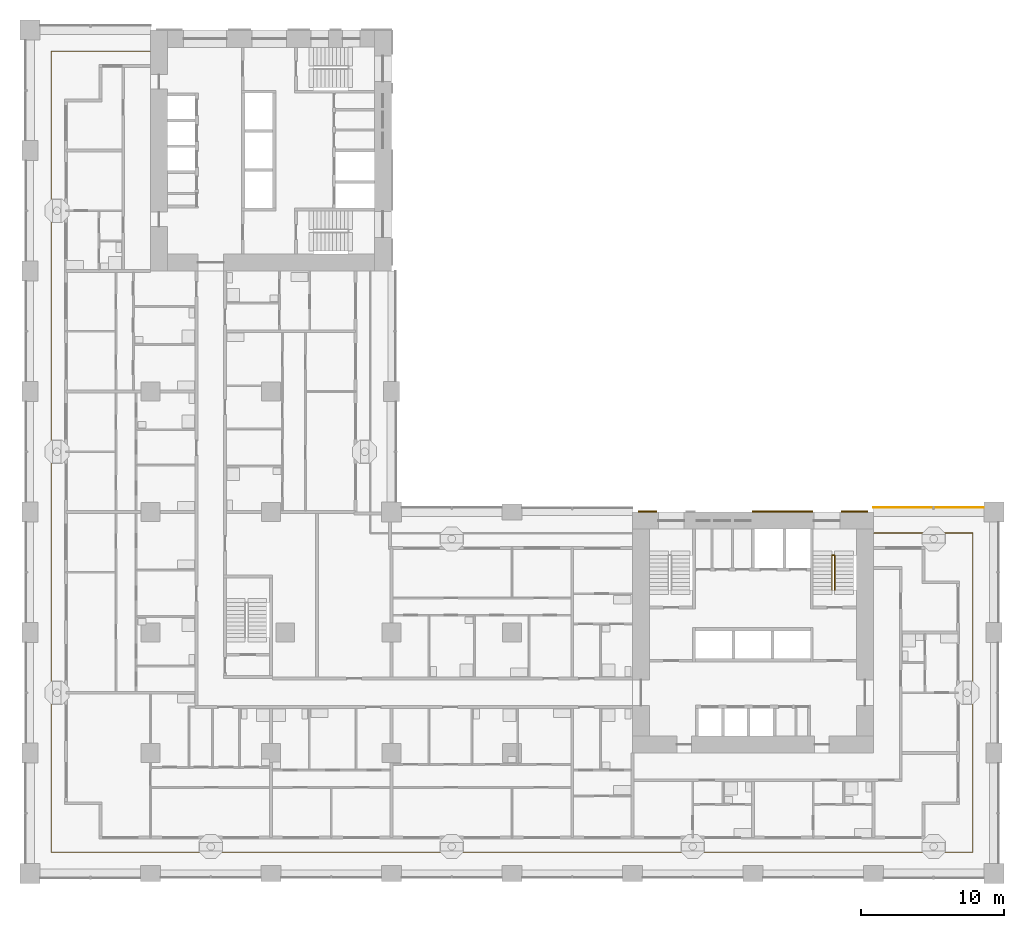
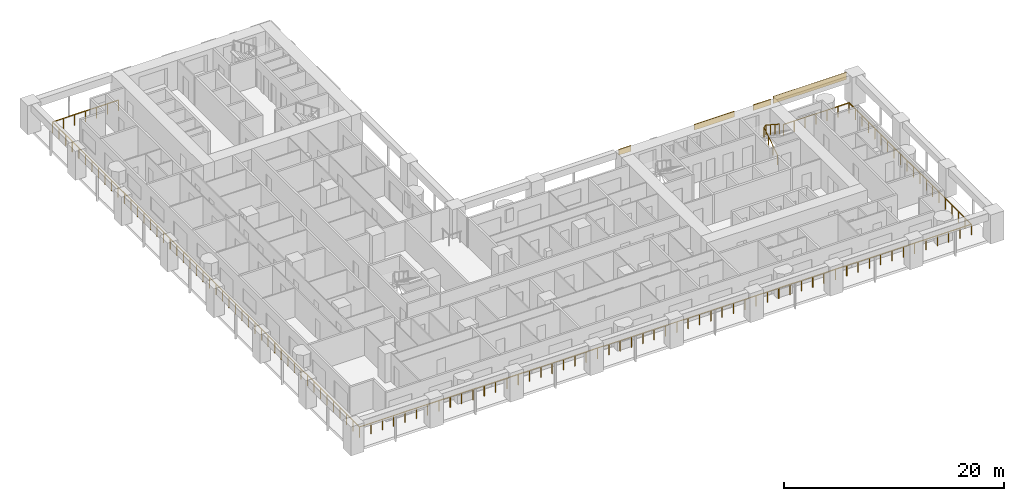
# One storey, part 14 of 22: 4 shading devices, 2 railings.
"""IFC4 building model written with IfcOpenShell, lengths in metres."""

from ifc_helpers import new_model, si_unit, direction, frame, origin, origin_2d, place, context, subcontext, project, spatial, rectangle, circle, extrude, material, layer, layer_set, type_object, element, save


model = new_model("IFC4")

# Units and contexts
model_context = context("Model", 3, precision=1e-05, world=origin(), true_north=direction((0.0, 1.0)))
body_context = subcontext(model_context, "Body", "Model", "MODEL_VIEW")
ifc_project = project(units=[si_unit("LENGTHUNIT", "METRE"), si_unit("AREAUNIT", "SQUARE_METRE"), si_unit("VOLUMEUNIT", "CUBIC_METRE"), si_unit("PLANEANGLEUNIT", "RADIAN"), si_unit("MASSUNIT", "GRAM", prefix="KILO")], contexts=[model_context])

# Site, building, storey
site_placement = place(None, origin())
site = spatial("IfcSite", under=ifc_project, at=site_placement, CompositionType="ELEMENT")
building_placement = place(site_placement, origin())
building = spatial("IfcBuilding", under=site, at=building_placement, Name="Vermilion Gate Residences", CompositionType="ELEMENT")
storey_placement = place(building_placement, frame((0.0, 0.0, 60.199951171875)))
storey = spatial("IfcBuildingStorey", under=building, at=storey_placement, Name="L14", CompositionType="ELEMENT", Elevation=60.199951171875)

# Railing
ifc_material_1 = material(Name="Stainless steel and toughened glass", Category="steel")
railing_type_1 = type_object("IfcRailingType", Name="LOGGIA GUARD STEEL AND GLASS 1200", PredefinedType="GUARDRAIL", material=ifc_material_1)
railing_1_placement = place(storey_placement, frame((8.3779296875, 57.324951171875, 0.0)))
element("IfcRailing", 1, at=railing_1_placement, inside=storey, type_object=railing_type_1, Name="Loggia guard", PredefinedType="GUARDRAIL", context=body_context, shape_type="SweptSolid", body=[
    extrude(circle(Radius=0.030029296875, at=origin_2d()), frame((0.0, 0.0, 1.169921875), z_axis=(-1.0, 0.0, 0.0), x_axis=(0.0, -1.0, 0.0)), (0.0, 0.0, 1.0), 6.90283203125),
    extrude(circle(Radius=0.030029296875, at=origin_2d()), frame((-6.90283203125, 0.0, 1.169921875), z_axis=(0.0, -1.0, 0.0), x_axis=(1.0, 0.0, 0.0)), (0.0, 0.0, 1.0), 55.849853515625),
    extrude(circle(Radius=0.030029296875, at=origin_2d()), frame((-6.90283203125, -55.849853515625, 1.169921875), z_axis=(1.0, 0.0, 0.0), x_axis=(0.0, 1.0, 0.0)), (0.0, 0.0, 1.0), 64.25),
    extrude(circle(Radius=0.030029296875, at=origin_2d()), frame((57.34716796875, -55.849853515625, 1.169921875), z_axis=(0.0, 1.0, 0.0), x_axis=(-1.0, 0.0, 0.0)), (0.0, 0.0, 1.0), 22.25),
    extrude(circle(Radius=0.030029296875, at=origin_2d()), frame((57.34716796875, -33.599853515625, 1.169921875), z_axis=(-1.0, 0.0, 0.0), x_axis=(0.0, -1.0, 0.0)), (0.0, 0.0, 1.0), 6.903076171875),
    extrude(circle(Radius=0.02490234375, at=origin_2d()), origin(), (0.0, 0.0, 1.0), 1.139892578125),
    extrude(circle(Radius=0.02490234375, at=origin_2d()), frame((-1.150390625, 0.0, 0.0)), (0.0, 0.0, 1.0), 1.139892578125),
    extrude(circle(Radius=0.02490234375, at=origin_2d()), frame((-2.301025390625, 0.0, 0.0)), (0.0, 0.0, 1.0), 1.139892578125),
    extrude(circle(Radius=0.02490234375, at=origin_2d()), frame((-3.451416015625, 0.0, 0.0)), (0.0, 0.0, 1.0), 1.139892578125),
    extrude(circle(Radius=0.02490234375, at=origin_2d()), frame((-4.601806640625, 0.0, 0.0)), (0.0, 0.0, 1.0), 1.139892578125),
    extrude(circle(Radius=0.02490234375, at=origin_2d()), frame((-5.75244140625, 0.0, 0.0)), (0.0, 0.0, 1.0), 1.139892578125),
    extrude(circle(Radius=0.02490234375, at=origin_2d()), frame((-6.90283203125, 0.0, 0.0)), (0.0, 0.0, 1.0), 1.139892578125),
    extrude(circle(Radius=0.02490234375, at=origin_2d()), frame((-6.90283203125, -1.188232421875, 0.0)), (0.0, 0.0, 1.0), 1.139892578125),
    extrude(circle(Radius=0.02490234375, at=origin_2d()), frame((-6.90283203125, -2.376708984375, 0.0)), (0.0, 0.0, 1.0), 1.139892578125),
    extrude(circle(Radius=0.02490234375, at=origin_2d()), frame((-6.90283203125, -3.56494140625, 0.0)), (0.0, 0.0, 1.0), 1.139892578125),
    extrude(circle(Radius=0.02490234375, at=origin_2d()), frame((-6.90283203125, -4.753173828125, 0.0)), (0.0, 0.0, 1.0), 1.139892578125),
    extrude(circle(Radius=0.02490234375, at=origin_2d()), frame((-6.90283203125, -5.94140625, 0.0)), (0.0, 0.0, 1.0), 1.139892578125),
    extrude(circle(Radius=0.02490234375, at=origin_2d()), frame((-6.90283203125, -7.1298828125, 0.0)), (0.0, 0.0, 1.0), 1.139892578125),
    extrude(circle(Radius=0.02490234375, at=origin_2d()), frame((-6.90283203125, -8.318115234375, 0.0)), (0.0, 0.0, 1.0), 1.139892578125),
    extrude(circle(Radius=0.02490234375, at=origin_2d()), frame((-6.90283203125, -9.50634765625, 0.0)), (0.0, 0.0, 1.0), 1.139892578125),
    extrude(circle(Radius=0.02490234375, at=origin_2d()), frame((-6.90283203125, -10.694580078125, 0.0)), (0.0, 0.0, 1.0), 1.139892578125),
    extrude(circle(Radius=0.02490234375, at=origin_2d()), frame((-6.90283203125, -11.883056640625, 0.0)), (0.0, 0.0, 1.0), 1.139892578125),
    extrude(circle(Radius=0.02490234375, at=origin_2d()), frame((-6.90283203125, -13.0712890625, 0.0)), (0.0, 0.0, 1.0), 1.139892578125),
    extrude(circle(Radius=0.02490234375, at=origin_2d()), frame((-6.90283203125, -14.259521484375, 0.0)), (0.0, 0.0, 1.0), 1.139892578125),
    extrude(circle(Radius=0.02490234375, at=origin_2d()), frame((-6.90283203125, -15.44775390625, 0.0)), (0.0, 0.0, 1.0), 1.139892578125),
    extrude(circle(Radius=0.02490234375, at=origin_2d()), frame((-6.90283203125, -16.63623046875, 0.0)), (0.0, 0.0, 1.0), 1.139892578125),
    extrude(circle(Radius=0.02490234375, at=origin_2d()), frame((-6.90283203125, -17.824462890625, 0.0)), (0.0, 0.0, 1.0), 1.139892578125),
    extrude(circle(Radius=0.02490234375, at=origin_2d()), frame((-6.90283203125, -19.0126953125, 0.0)), (0.0, 0.0, 1.0), 1.139892578125),
    extrude(circle(Radius=0.02490234375, at=origin_2d()), frame((-6.90283203125, -20.200927734375, 0.0)), (0.0, 0.0, 1.0), 1.139892578125),
    extrude(circle(Radius=0.02490234375, at=origin_2d()), frame((-6.90283203125, -21.389404296875, 0.0)), (0.0, 0.0, 1.0), 1.139892578125),
    extrude(circle(Radius=0.02490234375, at=origin_2d()), frame((-6.90283203125, -22.57763671875, 0.0)), (0.0, 0.0, 1.0), 1.139892578125),
    extrude(circle(Radius=0.02490234375, at=origin_2d()), frame((-6.90283203125, -23.765869140625, 0.0)), (0.0, 0.0, 1.0), 1.139892578125),
    extrude(circle(Radius=0.02490234375, at=origin_2d()), frame((-6.90283203125, -24.9541015625, 0.0)), (0.0, 0.0, 1.0), 1.139892578125),
    extrude(circle(Radius=0.02490234375, at=origin_2d()), frame((-6.90283203125, -26.142578125, 0.0)), (0.0, 0.0, 1.0), 1.139892578125),
    extrude(circle(Radius=0.02490234375, at=origin_2d()), frame((-6.90283203125, -27.330810546875, 0.0)), (0.0, 0.0, 1.0), 1.139892578125),
    extrude(circle(Radius=0.02490234375, at=origin_2d()), frame((-6.90283203125, -28.51904296875, 0.0)), (0.0, 0.0, 1.0), 1.139892578125),
    extrude(circle(Radius=0.02490234375, at=origin_2d()), frame((-6.90283203125, -29.707275390625, 0.0)), (0.0, 0.0, 1.0), 1.139892578125),
    extrude(circle(Radius=0.02490234375, at=origin_2d()), frame((-6.90283203125, -30.895751953125, 0.0)), (0.0, 0.0, 1.0), 1.139892578125),
    extrude(circle(Radius=0.02490234375, at=origin_2d()), frame((-6.90283203125, -32.083984375, 0.0)), (0.0, 0.0, 1.0), 1.139892578125),
    extrude(circle(Radius=0.02490234375, at=origin_2d()), frame((-6.90283203125, -33.272216796875, 0.0)), (0.0, 0.0, 1.0), 1.139892578125),
    extrude(circle(Radius=0.02490234375, at=origin_2d()), frame((-6.90283203125, -34.46044921875, 0.0)), (0.0, 0.0, 1.0), 1.139892578125),
    extrude(circle(Radius=0.02490234375, at=origin_2d()), frame((-6.90283203125, -35.64892578125, 0.0)), (0.0, 0.0, 1.0), 1.139892578125),
    extrude(circle(Radius=0.02490234375, at=origin_2d()), frame((-6.90283203125, -36.837158203125, 0.0)), (0.0, 0.0, 1.0), 1.139892578125),
    extrude(circle(Radius=0.02490234375, at=origin_2d()), frame((-6.90283203125, -38.025390625, 0.0)), (0.0, 0.0, 1.0), 1.139892578125),
    extrude(circle(Radius=0.02490234375, at=origin_2d()), frame((-6.90283203125, -39.213623046875, 0.0)), (0.0, 0.0, 1.0), 1.139892578125),
    extrude(circle(Radius=0.02490234375, at=origin_2d()), frame((-6.90283203125, -40.402099609375, 0.0)), (0.0, 0.0, 1.0), 1.139892578125),
    extrude(circle(Radius=0.02490234375, at=origin_2d()), frame((-6.90283203125, -41.59033203125, 0.0)), (0.0, 0.0, 1.0), 1.139892578125),
    extrude(circle(Radius=0.02490234375, at=origin_2d()), frame((-6.90283203125, -42.778564453125, 0.0)), (0.0, 0.0, 1.0), 1.139892578125),
    extrude(circle(Radius=0.02490234375, at=origin_2d()), frame((-6.90283203125, -43.966796875, 0.0)), (0.0, 0.0, 1.0), 1.139892578125),
    extrude(circle(Radius=0.02490234375, at=origin_2d()), frame((-6.90283203125, -45.1552734375, 0.0)), (0.0, 0.0, 1.0), 1.139892578125),
    extrude(circle(Radius=0.02490234375, at=origin_2d()), frame((-6.90283203125, -46.343505859375, 0.0)), (0.0, 0.0, 1.0), 1.139892578125),
    extrude(circle(Radius=0.02490234375, at=origin_2d()), frame((-6.90283203125, -47.53173828125, 0.0)), (0.0, 0.0, 1.0), 1.139892578125),
    extrude(circle(Radius=0.02490234375, at=origin_2d()), frame((-6.90283203125, -48.719970703125, 0.0)), (0.0, 0.0, 1.0), 1.139892578125),
    extrude(circle(Radius=0.02490234375, at=origin_2d()), frame((-6.90283203125, -49.908447265625, 0.0)), (0.0, 0.0, 1.0), 1.139892578125),
    extrude(circle(Radius=0.02490234375, at=origin_2d()), frame((-6.90283203125, -51.0966796875, 0.0)), (0.0, 0.0, 1.0), 1.139892578125),
    extrude(circle(Radius=0.02490234375, at=origin_2d()), frame((-6.90283203125, -52.284912109375, 0.0)), (0.0, 0.0, 1.0), 1.139892578125),
    extrude(circle(Radius=0.02490234375, at=origin_2d()), frame((-6.90283203125, -53.47314453125, 0.0)), (0.0, 0.0, 1.0), 1.139892578125),
    extrude(circle(Radius=0.02490234375, at=origin_2d()), frame((-6.90283203125, -54.66162109375, 0.0)), (0.0, 0.0, 1.0), 1.139892578125),
    extrude(circle(Radius=0.02490234375, at=origin_2d()), frame((-6.90283203125, -55.849853515625, 0.0)), (0.0, 0.0, 1.0), 1.139892578125),
    extrude(circle(Radius=0.02490234375, at=origin_2d()), frame((-5.713134765625, -55.849853515625, 0.0)), (0.0, 0.0, 1.0), 1.139892578125),
    extrude(circle(Radius=0.02490234375, at=origin_2d()), frame((-4.523193359375, -55.849853515625, 0.0)), (0.0, 0.0, 1.0), 1.139892578125),
    extrude(circle(Radius=0.02490234375, at=origin_2d()), frame((-3.33349609375, -55.849853515625, 0.0)), (0.0, 0.0, 1.0), 1.139892578125),
    extrude(circle(Radius=0.02490234375, at=origin_2d()), frame((-2.1435546875, -55.849853515625, 0.0)), (0.0, 0.0, 1.0), 1.139892578125),
    extrude(circle(Radius=0.02490234375, at=origin_2d()), frame((-0.953857421875, -55.849853515625, 0.0)), (0.0, 0.0, 1.0), 1.139892578125),
    extrude(circle(Radius=0.02490234375, at=origin_2d()), frame((0.236083984375, -55.849853515625, 0.0)), (0.0, 0.0, 1.0), 1.139892578125),
    extrude(circle(Radius=0.02490234375, at=origin_2d()), frame((1.42578125, -55.849853515625, 0.0)), (0.0, 0.0, 1.0), 1.139892578125),
    extrude(circle(Radius=0.02490234375, at=origin_2d()), frame((2.61572265625, -55.849853515625, 0.0)), (0.0, 0.0, 1.0), 1.139892578125),
    extrude(circle(Radius=0.02490234375, at=origin_2d()), frame((3.805419921875, -55.849853515625, 0.0)), (0.0, 0.0, 1.0), 1.139892578125),
    extrude(circle(Radius=0.02490234375, at=origin_2d()), frame((4.995361328125, -55.849853515625, 0.0)), (0.0, 0.0, 1.0), 1.139892578125),
    extrude(circle(Radius=0.02490234375, at=origin_2d()), frame((6.18505859375, -55.849853515625, 0.0)), (0.0, 0.0, 1.0), 1.139892578125),
    extrude(circle(Radius=0.02490234375, at=origin_2d()), frame((7.375, -55.849853515625, 0.0)), (0.0, 0.0, 1.0), 1.139892578125),
    extrude(circle(Radius=0.02490234375, at=origin_2d()), frame((8.564697265625, -55.849853515625, 0.0)), (0.0, 0.0, 1.0), 1.139892578125),
    extrude(circle(Radius=0.02490234375, at=origin_2d()), frame((9.754638671875, -55.849853515625, 0.0)), (0.0, 0.0, 1.0), 1.139892578125),
    extrude(circle(Radius=0.02490234375, at=origin_2d()), frame((10.9443359375, -55.849853515625, 0.0)), (0.0, 0.0, 1.0), 1.139892578125),
    extrude(circle(Radius=0.02490234375, at=origin_2d()), frame((12.13427734375, -55.849853515625, 0.0)), (0.0, 0.0, 1.0), 1.139892578125),
    extrude(circle(Radius=0.02490234375, at=origin_2d()), frame((13.323974609375, -55.849853515625, 0.0)), (0.0, 0.0, 1.0), 1.139892578125),
    extrude(circle(Radius=0.02490234375, at=origin_2d()), frame((14.513916015625, -55.849853515625, 0.0)), (0.0, 0.0, 1.0), 1.139892578125),
    extrude(circle(Radius=0.02490234375, at=origin_2d()), frame((15.70361328125, -55.849853515625, 0.0)), (0.0, 0.0, 1.0), 1.139892578125),
    extrude(circle(Radius=0.02490234375, at=origin_2d()), frame((16.8935546875, -55.849853515625, 0.0)), (0.0, 0.0, 1.0), 1.139892578125),
    extrude(circle(Radius=0.02490234375, at=origin_2d()), frame((18.083251953125, -55.849853515625, 0.0)), (0.0, 0.0, 1.0), 1.139892578125),
    extrude(circle(Radius=0.02490234375, at=origin_2d()), frame((19.273193359375, -55.849853515625, 0.0)), (0.0, 0.0, 1.0), 1.139892578125),
    extrude(circle(Radius=0.02490234375, at=origin_2d()), frame((20.462890625, -55.849853515625, 0.0)), (0.0, 0.0, 1.0), 1.139892578125),
    extrude(circle(Radius=0.02490234375, at=origin_2d()), frame((21.65283203125, -55.849853515625, 0.0)), (0.0, 0.0, 1.0), 1.139892578125),
    extrude(circle(Radius=0.02490234375, at=origin_2d()), frame((22.842529296875, -55.849853515625, 0.0)), (0.0, 0.0, 1.0), 1.139892578125),
    extrude(circle(Radius=0.02490234375, at=origin_2d()), frame((24.032470703125, -55.849853515625, 0.0)), (0.0, 0.0, 1.0), 1.139892578125),
    extrude(circle(Radius=0.02490234375, at=origin_2d()), frame((25.22216796875, -55.849853515625, 0.0)), (0.0, 0.0, 1.0), 1.139892578125),
    extrude(circle(Radius=0.02490234375, at=origin_2d()), frame((26.411865234375, -55.849853515625, 0.0)), (0.0, 0.0, 1.0), 1.139892578125),
    extrude(circle(Radius=0.02490234375, at=origin_2d()), frame((27.601806640625, -55.849853515625, 0.0)), (0.0, 0.0, 1.0), 1.139892578125),
    extrude(circle(Radius=0.02490234375, at=origin_2d()), frame((28.79150390625, -55.849853515625, 0.0)), (0.0, 0.0, 1.0), 1.139892578125),
    extrude(circle(Radius=0.02490234375, at=origin_2d()), frame((29.9814453125, -55.849853515625, 0.0)), (0.0, 0.0, 1.0), 1.139892578125),
    extrude(circle(Radius=0.02490234375, at=origin_2d()), frame((31.171142578125, -55.849853515625, 0.0)), (0.0, 0.0, 1.0), 1.139892578125),
    extrude(circle(Radius=0.02490234375, at=origin_2d()), frame((32.361083984375, -55.849853515625, 0.0)), (0.0, 0.0, 1.0), 1.139892578125),
    extrude(circle(Radius=0.02490234375, at=origin_2d()), frame((33.55078125, -55.849853515625, 0.0)), (0.0, 0.0, 1.0), 1.139892578125),
    extrude(circle(Radius=0.02490234375, at=origin_2d()), frame((34.74072265625, -55.849853515625, 0.0)), (0.0, 0.0, 1.0), 1.139892578125),
    extrude(circle(Radius=0.02490234375, at=origin_2d()), frame((35.930419921875, -55.849853515625, 0.0)), (0.0, 0.0, 1.0), 1.139892578125),
    extrude(circle(Radius=0.02490234375, at=origin_2d()), frame((37.120361328125, -55.849853515625, 0.0)), (0.0, 0.0, 1.0), 1.139892578125),
    extrude(circle(Radius=0.02490234375, at=origin_2d()), frame((38.31005859375, -55.849853515625, 0.0)), (0.0, 0.0, 1.0), 1.139892578125),
    extrude(circle(Radius=0.02490234375, at=origin_2d()), frame((39.5, -55.849853515625, 0.0)), (0.0, 0.0, 1.0), 1.139892578125),
    extrude(circle(Radius=0.02490234375, at=origin_2d()), frame((40.689697265625, -55.849853515625, 0.0)), (0.0, 0.0, 1.0), 1.139892578125),
    extrude(circle(Radius=0.02490234375, at=origin_2d()), frame((41.879638671875, -55.849853515625, 0.0)), (0.0, 0.0, 1.0), 1.139892578125),
    extrude(circle(Radius=0.02490234375, at=origin_2d()), frame((43.0693359375, -55.849853515625, 0.0)), (0.0, 0.0, 1.0), 1.139892578125),
    extrude(circle(Radius=0.02490234375, at=origin_2d()), frame((44.25927734375, -55.849853515625, 0.0)), (0.0, 0.0, 1.0), 1.139892578125),
    extrude(circle(Radius=0.02490234375, at=origin_2d()), frame((45.448974609375, -55.849853515625, 0.0)), (0.0, 0.0, 1.0), 1.139892578125),
    extrude(circle(Radius=0.02490234375, at=origin_2d()), frame((46.638916015625, -55.849853515625, 0.0)), (0.0, 0.0, 1.0), 1.139892578125),
    extrude(circle(Radius=0.02490234375, at=origin_2d()), frame((47.82861328125, -55.849853515625, 0.0)), (0.0, 0.0, 1.0), 1.139892578125),
    extrude(circle(Radius=0.02490234375, at=origin_2d()), frame((49.0185546875, -55.849853515625, 0.0)), (0.0, 0.0, 1.0), 1.139892578125),
    extrude(circle(Radius=0.02490234375, at=origin_2d()), frame((50.208251953125, -55.849853515625, 0.0)), (0.0, 0.0, 1.0), 1.139892578125),
    extrude(circle(Radius=0.02490234375, at=origin_2d()), frame((51.398193359375, -55.849853515625, 0.0)), (0.0, 0.0, 1.0), 1.139892578125),
    extrude(circle(Radius=0.02490234375, at=origin_2d()), frame((52.587890625, -55.849853515625, 0.0)), (0.0, 0.0, 1.0), 1.139892578125),
    extrude(circle(Radius=0.02490234375, at=origin_2d()), frame((53.77783203125, -55.849853515625, 0.0)), (0.0, 0.0, 1.0), 1.139892578125),
    extrude(circle(Radius=0.02490234375, at=origin_2d()), frame((54.967529296875, -55.849853515625, 0.0)), (0.0, 0.0, 1.0), 1.139892578125),
    extrude(circle(Radius=0.02490234375, at=origin_2d()), frame((56.157470703125, -55.849853515625, 0.0)), (0.0, 0.0, 1.0), 1.139892578125),
    extrude(circle(Radius=0.02490234375, at=origin_2d()), frame((57.34716796875, -55.849853515625, 0.0)), (0.0, 0.0, 1.0), 1.139892578125),
    extrude(circle(Radius=0.02490234375, at=origin_2d()), frame((57.34716796875, -54.6787109375, 0.0)), (0.0, 0.0, 1.0), 1.139892578125),
    extrude(circle(Radius=0.02490234375, at=origin_2d()), frame((57.34716796875, -53.5078125, 0.0)), (0.0, 0.0, 1.0), 1.139892578125),
    extrude(circle(Radius=0.02490234375, at=origin_2d()), frame((57.34716796875, -52.336669921875, 0.0)), (0.0, 0.0, 1.0), 1.139892578125),
    extrude(circle(Radius=0.02490234375, at=origin_2d()), frame((57.34716796875, -51.16552734375, 0.0)), (0.0, 0.0, 1.0), 1.139892578125),
    extrude(circle(Radius=0.02490234375, at=origin_2d()), frame((57.34716796875, -49.99462890625, 0.0)), (0.0, 0.0, 1.0), 1.139892578125),
    extrude(circle(Radius=0.02490234375, at=origin_2d()), frame((57.34716796875, -48.823486328125, 0.0)), (0.0, 0.0, 1.0), 1.139892578125),
    extrude(circle(Radius=0.02490234375, at=origin_2d()), frame((57.34716796875, -47.652587890625, 0.0)), (0.0, 0.0, 1.0), 1.139892578125),
    extrude(circle(Radius=0.02490234375, at=origin_2d()), frame((57.34716796875, -46.4814453125, 0.0)), (0.0, 0.0, 1.0), 1.139892578125),
    extrude(circle(Radius=0.02490234375, at=origin_2d()), frame((57.34716796875, -45.310302734375, 0.0)), (0.0, 0.0, 1.0), 1.139892578125),
    extrude(circle(Radius=0.02490234375, at=origin_2d()), frame((57.34716796875, -44.139404296875, 0.0)), (0.0, 0.0, 1.0), 1.139892578125),
    extrude(circle(Radius=0.02490234375, at=origin_2d()), frame((57.34716796875, -42.96826171875, 0.0)), (0.0, 0.0, 1.0), 1.139892578125),
    extrude(circle(Radius=0.02490234375, at=origin_2d()), frame((57.34716796875, -41.797119140625, 0.0)), (0.0, 0.0, 1.0), 1.139892578125),
    extrude(circle(Radius=0.02490234375, at=origin_2d()), frame((57.34716796875, -40.626220703125, 0.0)), (0.0, 0.0, 1.0), 1.139892578125),
    extrude(circle(Radius=0.02490234375, at=origin_2d()), frame((57.34716796875, -39.455078125, 0.0)), (0.0, 0.0, 1.0), 1.139892578125),
    extrude(circle(Radius=0.02490234375, at=origin_2d()), frame((57.34716796875, -38.2841796875, 0.0)), (0.0, 0.0, 1.0), 1.139892578125),
    extrude(circle(Radius=0.02490234375, at=origin_2d()), frame((57.34716796875, -37.113037109375, 0.0)), (0.0, 0.0, 1.0), 1.139892578125),
    extrude(circle(Radius=0.02490234375, at=origin_2d()), frame((57.34716796875, -35.94189453125, 0.0)), (0.0, 0.0, 1.0), 1.139892578125),
    extrude(circle(Radius=0.02490234375, at=origin_2d()), frame((57.34716796875, -34.77099609375, 0.0)), (0.0, 0.0, 1.0), 1.139892578125),
    extrude(circle(Radius=0.02490234375, at=origin_2d()), frame((57.34716796875, -33.599853515625, 0.0)), (0.0, 0.0, 1.0), 1.139892578125),
    extrude(circle(Radius=0.02490234375, at=origin_2d()), frame((56.19677734375, -33.599853515625, 0.0)), (0.0, 0.0, 1.0), 1.139892578125),
    extrude(circle(Radius=0.02490234375, at=origin_2d()), frame((55.046142578125, -33.599853515625, 0.0)), (0.0, 0.0, 1.0), 1.139892578125),
    extrude(circle(Radius=0.02490234375, at=origin_2d()), frame((53.8955078125, -33.599853515625, 0.0)), (0.0, 0.0, 1.0), 1.139892578125),
    extrude(circle(Radius=0.02490234375, at=origin_2d()), frame((52.7451171875, -33.599853515625, 0.0)), (0.0, 0.0, 1.0), 1.139892578125),
    extrude(circle(Radius=0.02490234375, at=origin_2d()), frame((51.5947265625, -33.599853515625, 0.0)), (0.0, 0.0, 1.0), 1.139892578125),
    extrude(circle(Radius=0.02490234375, at=origin_2d()), frame((50.444091796875, -33.599853515625, 0.0)), (0.0, 0.0, 1.0), 1.139892578125),
])

# Shading device
ifc_material_2 = material(Name="Perforated terracotta", Category="masonry")
ifc_layer_1 = layer(ifc_material_2, 0.0400390625)
ifc_layer_set_1 = layer_set([ifc_layer_1], Name="PERFORATED TERRACOTTA SCREEN 40")
shading_device_type_1 = type_object("IfcShadingDeviceType", Name="PERFORATED TERRACOTTA SCREEN 40", PredefinedType="SHUTTER", material=ifc_layer_set_1)
shading_device_1_placement = place(storey_placement, frame((62.64990234375, 25.52001953125, 2.419921875), z_axis=(0.0, 0.0, 1.0), x_axis=(-1.0, 0.0, 0.0)))
element("IfcShadingDevice", 2, at=shading_device_1_placement, inside=storey, type_object=shading_device_type_1, Name="SCREEN", PredefinedType="SHUTTER", context=body_context, shape_type="SweptSolid", body=[
    extrude(rectangle(XDim=7.699951171875, YDim=0.0400390625, at=origin_2d()), origin(), (0.0, 0.0, 1.0), 0.800048828125),
])

# Railing
ifc_material_3 = material(Name="Steel S355", Category="steel")
railing_type_2 = type_object("IfcRailingType", Name="STAIR GUARD 1100 STEEL", PredefinedType="GUARDRAIL", material=ifc_material_3)
railing_2_placement = place(storey_placement, frame((55.89990234375, 19.75, 0.175048828125)))
element("IfcRailing", 3, at=railing_2_placement, inside=storey, type_object=railing_type_2, Name="Stair well guard STA2-14", PredefinedType="GUARDRAIL", context=body_context, shape_type="SweptSolid", body=[
    extrude(circle(Radius=0.02392578125, at=origin_2d()), frame((0.0, 0.0, 1.076171875), z_axis=(0.0, 0.839153699163, 0.543894354798), x_axis=(-1.0, 0.0, 0.0)), (0.0, 0.0, 1.0), 2.895751953125),
    extrude(circle(Radius=0.02392578125, at=origin_2d()), frame((0.0, 2.429931640625, 2.65087890625), z_axis=(0.752804132164, 0.0, 0.658244588734), x_axis=(0.0, 1.0, 0.0)), (0.0, 0.0, 1.0), 0.265869140625),
    extrude(circle(Radius=0.02392578125, at=origin_2d()), frame((0.2001953125, 2.429931640625, 2.826171875), z_axis=(0.0, -0.839153699163, 0.543894354798), x_axis=(1.0, 0.0, 0.0)), (0.0, 0.0, 1.0), 2.895751953125),
    extrude(circle(Radius=0.02099609375, at=origin_2d()), origin(), (0.0, 0.0, 1.0), 1.052001953125),
    extrude(circle(Radius=0.02099609375, at=origin_2d()), frame((0.0, 0.81005859375, 0.52490234375)), (0.0, 0.0, 1.0), 1.052001953125),
    extrude(circle(Radius=0.02099609375, at=origin_2d()), frame((0.0, 1.619873046875, 1.050048828125)), (0.0, 0.0, 1.0), 1.052001953125),
    extrude(circle(Radius=0.02099609375, at=origin_2d()), frame((0.0, 2.429931640625, 1.574951171875)), (0.0, 0.0, 1.0), 1.052001953125),
    extrude(circle(Radius=0.02099609375, at=origin_2d()), frame((0.2001953125, 2.429931640625, 1.75)), (0.0, 0.0, 1.0), 1.052001953125),
    extrude(circle(Radius=0.02099609375, at=origin_2d()), frame((0.2001953125, 1.619873046875, 2.27490234375)), (0.0, 0.0, 1.0), 1.052001953125),
    extrude(circle(Radius=0.02099609375, at=origin_2d()), frame((0.2001953125, 0.81005859375, 2.800048828125)), (0.0, 0.0, 1.0), 1.052001953125),
    extrude(circle(Radius=0.02099609375, at=origin_2d()), frame((0.2001953125, 0.0, 3.324951171875)), (0.0, 0.0, 1.0), 1.052001953125),
])

# Shading devices
ifc_material_4 = material(Name="Extruded terracotta", Category="masonry")
ifc_layer_2 = layer(ifc_material_4, 0.10009765625)
ifc_layer_set_2 = layer_set([ifc_layer_2], Name="TERRACOTTA SPANDREL BAND 600 X 100")
shading_device_type_2 = type_object("IfcShadingDeviceType", Name="TERRACOTTA SPANDREL BAND 600 X 100", PredefinedType="USERDEFINED", material=ifc_layer_set_2)
shading_device_2_placement = place(storey_placement, frame((43.050048828125, 25.25, 2.6201171875), z_axis=(0.0, 0.0, 1.0), x_axis=(1.0, 0.0, 0.0)))
element("IfcShadingDevice", 4, at=shading_device_2_placement, inside=storey, type_object=shading_device_type_2, Name="SPANDREL BAND", ObjectType="BAND", PredefinedType="USERDEFINED", context=body_context, shape_type="SweptSolid", body=[
    extrude(rectangle(XDim=1.300048828125, YDim=0.10009765625, at=origin_2d()), origin(), (0.0, 0.0, 1.0), 0.60009765625),
])
shading_device_3_placement = place(storey_placement, frame((52.449951171875, 25.25, 2.6201171875), z_axis=(0.0, 0.0, 1.0), x_axis=(1.0, 0.0, 0.0)))
element("IfcShadingDevice", 5, at=shading_device_3_placement, inside=storey, type_object=shading_device_type_2, Name="SPANDREL BAND", ObjectType="BAND", PredefinedType="USERDEFINED", context=body_context, shape_type="SweptSolid", body=[
    extrude(rectangle(XDim=4.199951171875, YDim=0.10009765625, at=origin_2d()), origin(), (0.0, 0.0, 1.0), 0.60009765625),
])
shading_device_4_placement = place(storey_placement, frame((57.47509765625, 25.25, 2.6201171875), z_axis=(0.0, 0.0, 1.0), x_axis=(1.0, 0.0, 0.0)))
element("IfcShadingDevice", 6, at=shading_device_4_placement, inside=storey, type_object=shading_device_type_2, Name="SPANDREL BAND", ObjectType="BAND", PredefinedType="USERDEFINED", context=body_context, shape_type="SweptSolid", body=[
    extrude(rectangle(XDim=1.85009765625, YDim=0.10009765625, at=origin_2d()), origin(), (0.0, 0.0, 1.0), 0.60009765625),
])

save(model, "model.ifc")
